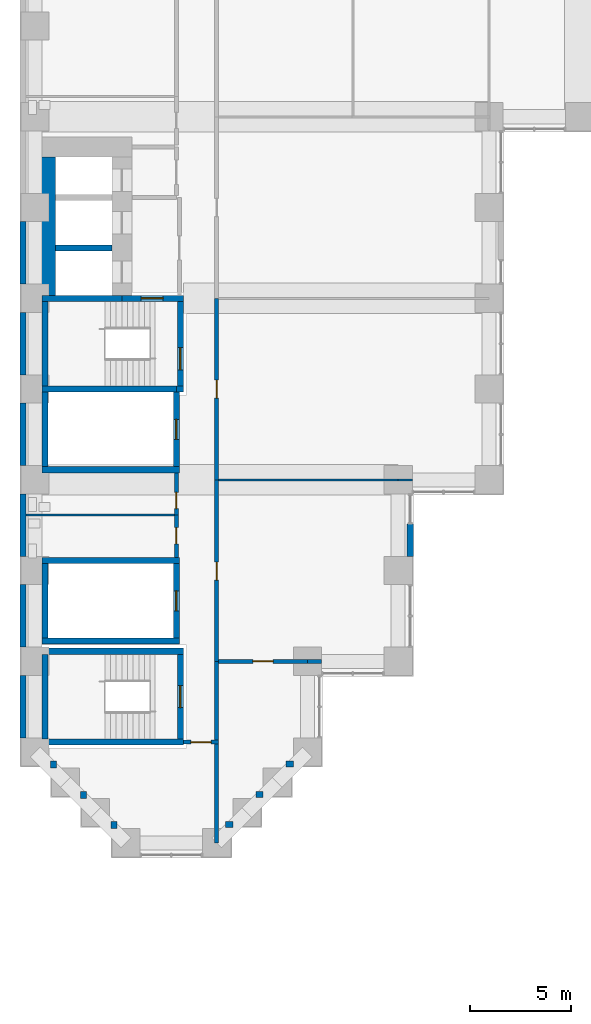
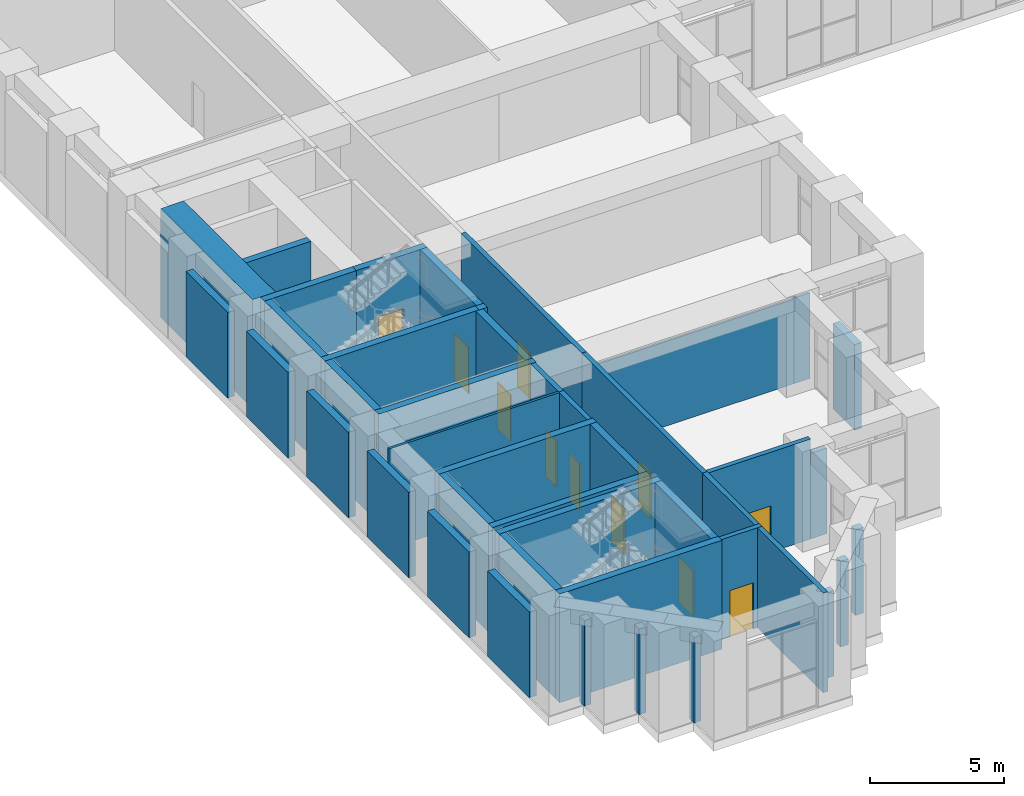
# One storey, part 18 of 34: 44 walls, 11 doors, 11 openings.
"""IFC4 building model written with IfcOpenShell, lengths in metres."""

from ifc_helpers import new_model, si_unit, direction, frame, frame_2d, origin, place, context, subcontext, project, spatial, rectangle, extrude, material, layer, layer_set, type_object, element, fill, save


model = new_model("IFC4")

# Units and contexts
model_context = context("Model", 3, precision=1e-05, world=origin(), true_north=direction((0.0, 1.0)))
body_context = subcontext(model_context, "Body", "Model", "MODEL_VIEW")
ifc_project = project(units=[si_unit("LENGTHUNIT", "METRE"), si_unit("AREAUNIT", "SQUARE_METRE"), si_unit("VOLUMEUNIT", "CUBIC_METRE"), si_unit("PLANEANGLEUNIT", "RADIAN"), si_unit("MASSUNIT", "GRAM", prefix="KILO")], contexts=[model_context])

# Site, building, storey
site_placement = place(None, origin())
site = spatial("IfcSite", under=ifc_project, at=site_placement, CompositionType="ELEMENT")
building_placement = place(site_placement, origin())
building = spatial("IfcBuilding", under=site, at=building_placement, Name="Firuza Court", CompositionType="ELEMENT")
storey_placement = place(building_placement, frame((0.0, 0.0, 19.0)))
storey = spatial("IfcBuildingStorey", under=building, at=storey_placement, Name="L03", CompositionType="ELEMENT", Elevation=19.0)

# Walls
ifc_material_1 = material(Name="Moisture-resistant gypsum board partition")
ifc_layer_1 = layer(ifc_material_1, 0.10009765625)
ifc_layer_set_1 = layer_set([ifc_layer_1], Name="Moisture-resistant gypsum board partition")
wall_type_1 = type_object("IfcWallType", Name="Bathroom partition 100", PredefinedType="PLUMBINGWALL", material=ifc_layer_set_1)
wall_1_placement = place(storey_placement, frame((-0.449951171875, 16.25, 0.0), z_axis=(0.0, 0.0, 1.0), x_axis=(1.0, 0.0, 0.0)))
element("IfcWall", 1, at=wall_1_placement, inside=storey, type_object=wall_type_1, Name="Bathroom partition 100 L03", PredefinedType="PLUMBINGWALL", context=body_context, shape_type="SweptSolid", body=[
    extrude(rectangle(XDim=7.349853515625, YDim=0.10009765625, at=frame_2d((3.6748046875, 0.0))), origin(), (0.0, 0.0, 1.0), 4.550048828125),
])
ifc_material_2 = material(Name="Concrete C60/75", Category="concrete")
ifc_layer_2 = layer(ifc_material_2, 1.0)
ifc_layer_set_2 = layer_set([ifc_layer_2], Name="Concrete C60/75")
wall_type_2 = type_object("IfcWallType", Name="Core wall 1000 C60/75", PredefinedType="SHEAR", material=ifc_layer_set_2)
wall_2_placement = place(storey_placement, frame((0.5, 27.14990234375, -0.39990234375), z_axis=(0.0, 0.0, 1.0), x_axis=(0.0, 1.0, 0.0)))
element("IfcWall", 2, at=wall_2_placement, inside=storey, type_object=wall_type_2, Name="Core wall lift shaft L03", PredefinedType="SHEAR", context=body_context, shape_type="SweptSolid", body=[
    extrude(rectangle(XDim=6.85009765625, YDim=1.0, at=frame_2d((3.425048828125, 0.0))), origin(), (0.0, 0.0, 1.0), 4.949951171875),
])
ifc_layer_3 = layer(ifc_material_2, 0.300048828125)
ifc_layer_set_3 = layer_set([ifc_layer_3], Name="Concrete C60/75")
wall_type_3 = type_object("IfcWallType", Name="Core wall 300 C60/75", PredefinedType="SHEAR", material=ifc_layer_set_3)
for number, where, z_axis, x_axis, name in (
    (3, (0.35009765625, 5.0, -0.39990234375), (0.0, 0.0, 1.0), (1.0, 0.0, 0.0), "Core wall stair L03"),
    (4, (0.35009765625, 9.5, -0.39990234375), (0.0, 0.0, 1.0), (1.0, 0.0, 0.0), "Core wall stair L03"),
):
    element("IfcWall", number, at=place(storey_placement, frame(where, z_axis=z_axis, x_axis=x_axis)), inside=storey, type_object=wall_type_3, Name=name, PredefinedType="SHEAR", context=body_context, shape_type="SweptSolid", body=[
        extrude(rectangle(XDim=7.0, YDim=0.300048828125, at=frame_2d((3.5, 0.0))), origin(), (0.0, 0.0, 1.0), 4.949951171875),
    ])
for number, where, z_axis, x_axis, name in (
    (5, (0.35009765625, 10.0, -0.39990234375), (0.0, 0.0, 1.0), (1.0, 0.0, 0.0), "Core wall riser L03"),
    (6, (0.35009765625, 14.0, -0.39990234375), (0.0, 0.0, 1.0), (1.0, 0.0, 0.0), "Core wall riser L03"),
    (7, (0.35009765625, 18.5, -0.39990234375), (0.0, 0.0, 1.0), (1.0, 0.0, 0.0), "Core wall riser L03"),
):
    element("IfcWall", number, at=place(storey_placement, frame(where, z_axis=z_axis, x_axis=x_axis)), inside=storey, type_object=wall_type_3, Name=name, PredefinedType="SHEAR", context=body_context, shape_type="SweptSolid", body=[
        extrude(rectangle(XDim=6.7998046875, YDim=0.300048828125, at=frame_2d((3.39990234375, 0.0))), origin(), (0.0, 0.0, 1.0), 4.949951171875),
    ])
wall_3_placement = place(storey_placement, frame((0.35009765625, 22.5, -0.39990234375), z_axis=(0.0, 0.0, 1.0), x_axis=(1.0, 0.0, 0.0)))
element("IfcWall", 8, at=wall_3_placement, inside=storey, type_object=wall_type_3, Name="Core wall riser L03", PredefinedType="SHEAR", context=body_context, shape_type="SweptSolid", body=[
    extrude(rectangle(XDim=6.64990234375, YDim=0.300048828125, at=frame_2d((3.324951171875, 0.0))), origin(), (0.0, 0.0, 1.0), 4.949951171875),
])
wall_4_placement = place(storey_placement, frame((0.35009765625, 27.0, -0.39990234375), z_axis=(0.0, 0.0, 1.0), x_axis=(1.0, 0.0, 0.0)))
element("IfcWall", 9, at=wall_4_placement, inside=storey, type_object=wall_type_3, Name="Core wall lift shaft L03", PredefinedType="SHEAR", context=body_context, shape_type="SweptSolid", body=[
    extrude(rectangle(XDim=3.949951171875, YDim=0.300048828125, at=frame_2d((1.97509765625, 0.0))), origin(), (0.0, 0.0, 1.0), 4.949951171875),
])
wall_5_placement = place(storey_placement, frame((0.5, 5.14990234375, -0.39990234375), z_axis=(0.0, 0.0, 1.0), x_axis=(0.0, 1.0, 0.0)))
element("IfcWall", 10, at=wall_5_placement, inside=storey, type_object=wall_type_3, Name="Core wall stair L03", PredefinedType="SHEAR", context=body_context, shape_type="SweptSolid", body=[
    extrude(rectangle(XDim=4.2001953125, YDim=0.300048828125, at=frame_2d((2.10009765625, 0.0))), origin(), (0.0, 0.0, 1.0), 4.949951171875),
])
for number, where, z_axis, x_axis, name in (
    (11, (0.5, 10.14990234375, -0.39990234375), (0.0, 0.0, 1.0), (0.0, 1.0, 0.0), "Core wall riser L03"),
    (12, (0.5, 18.64990234375, -0.39990234375), (0.0, 0.0, 1.0), (0.0, 1.0, 0.0), "Core wall riser L03"),
):
    element("IfcWall", number, at=place(storey_placement, frame(where, z_axis=z_axis, x_axis=x_axis)), inside=storey, type_object=wall_type_3, Name=name, PredefinedType="SHEAR", context=body_context, shape_type="SweptSolid", body=[
        extrude(rectangle(XDim=3.7001953125, YDim=0.300048828125, at=frame_2d((1.85009765625, 0.0))), origin(), (0.0, 0.0, 1.0), 4.949951171875),
    ])
wall_6_placement = place(storey_placement, frame((0.5, 22.64990234375, -0.39990234375), z_axis=(0.0, 0.0, 1.0), x_axis=(0.0, 1.0, 0.0)))
element("IfcWall", 13, at=wall_6_placement, inside=storey, type_object=wall_type_3, Name="Core wall stair L03", PredefinedType="SHEAR", context=body_context, shape_type="SweptSolid", body=[
    extrude(rectangle(XDim=4.2001953125, YDim=0.300048828125, at=frame_2d((2.10009765625, 0.0))), origin(), (0.0, 0.0, 1.0), 4.949951171875),
])
wall_7_placement = place(storey_placement, frame((1.0, 29.5, -0.39990234375), z_axis=(0.0, 0.0, 1.0), x_axis=(1.0, 0.0, 0.0)))
element("IfcWall", 14, at=wall_7_placement, inside=storey, type_object=wall_type_3, Name="Core wall lift shaft L03", PredefinedType="SHEAR", context=body_context, shape_type="SweptSolid", body=[
    extrude(rectangle(XDim=2.800048828125, YDim=0.300048828125, at=frame_2d((1.39990234375, 0.0))), origin(), (0.0, 0.0, 1.0), 4.949951171875),
])

# Wall, opening, door
wall_8_placement = place(storey_placement, frame((4.300048828125, 27.0, -0.39990234375), z_axis=(0.0, 0.0, 1.0), x_axis=(1.0, 0.0, 0.0)))
wall_8 = element("IfcWall", 15, at=wall_8_placement, inside=storey, type_object=wall_type_3, Name="Core wall stair L03", PredefinedType="SHEAR", context=body_context, shape_type="SweptSolid", body=[
    extrude(rectangle(XDim=3.050048828125, YDim=0.300048828125, at=frame_2d((1.52490234375, 0.0))), origin(), (0.0, 0.0, 1.0), 4.949951171875),
])
opening_1_placement = place(wall_8_placement, frame((0.949951171875, 0.0, 0.39990234375)))
opening_1 = element("IfcOpeningElement", 16, at=opening_1_placement, cuts=wall_8, Name="Opening D03014", PredefinedType="OPENING", context=body_context, shape_type="SweptSolid", body=[
    extrude(rectangle(XDim=1.10009765625, YDim=2.10009765625, at=frame_2d((0.550048828125, 1.050048828125))), frame((0.0, 0.162109375, 0.0), z_axis=(0.0, -1.0, 0.0), x_axis=(1.0, 0.0, 0.0)), (0.0, 0.0, 1.0), 0.323974609375),
])
ifc_material_3 = material(Name="Timber door leaf in hardwood frame", Category="wood")
door_type_1 = type_object("IfcDoorType", Name="Stair door 1100", OperationType="SINGLE_SWING_LEFT", PredefinedType="DOOR", material=ifc_material_3)
door_1_placement = place(opening_1_placement, frame((1.10009765625, 0.0, 0.0), z_axis=(0.0, 0.0, 1.0), x_axis=(-1.0, 0.0, 0.0)))
door_1 = element("IfcDoor", 17, at=door_1_placement, inside=storey, type_object=door_type_1, Name="Fire-fighting lobby door", OperationType="SINGLE_SWING_LEFT", OverallHeight=2.10009765625, OverallWidth=1.10009765625, PredefinedType="DOOR", context=body_context, shape_type="SweptSolid", body=[
    extrude(rectangle(XDim=1.10009765625, YDim=2.10009765625, at=frame_2d((0.550048828125, 1.050048828125))), frame((0.0, 0.02490234375, 0.0), z_axis=(0.0, -1.0, 0.0), x_axis=(1.0, 0.0, 0.0)), (0.0, 0.0, 1.0), 0.050048828125),
])
fill(opening_1, door_1)

wall_9_placement = place(storey_placement, frame((7.0, 10.14990234375, -0.39990234375), z_axis=(0.0, 0.0, 1.0), x_axis=(0.0, 1.0, 0.0)))
wall_9 = element("IfcWall", 18, at=wall_9_placement, inside=storey, type_object=wall_type_3, Name="Core wall riser L03", PredefinedType="SHEAR", context=body_context, shape_type="SweptSolid", body=[
    extrude(rectangle(XDim=3.7001953125, YDim=0.300048828125, at=frame_2d((1.85009765625, 0.0))), origin(), (0.0, 0.0, 1.0), 4.949951171875),
])
opening_2_placement = place(wall_9_placement, frame((1.35009765625, 0.0, 0.39990234375)))
opening_2 = element("IfcOpeningElement", 19, at=opening_2_placement, cuts=wall_9, Name="Opening D03012", PredefinedType="OPENING", context=body_context, shape_type="SweptSolid", body=[
    extrude(rectangle(XDim=1.0, YDim=2.10009765625, at=frame_2d((0.5, 1.050048828125))), frame((0.0, 0.162109375, 0.0), z_axis=(0.0, -1.0, 0.0), x_axis=(1.0, 0.0, 0.0)), (0.0, 0.0, 1.0), 0.323974609375),
])
ifc_material_4 = material(Name="Timber door leaf in hardwood frame", Category="wood")
door_type_2 = type_object("IfcDoorType", Name="Riser door 1000", OperationType="SINGLE_SWING_LEFT", PredefinedType="DOOR", material=ifc_material_4)
door_2_placement = place(opening_2_placement, origin())
door_2 = element("IfcDoor", 20, at=door_2_placement, inside=storey, type_object=door_type_2, Name="Riser door R4", OperationType="SINGLE_SWING_LEFT", OverallHeight=2.10009765625, OverallWidth=1.0, PredefinedType="DOOR", context=body_context, shape_type="SweptSolid", body=[
    extrude(rectangle(XDim=1.0, YDim=2.10009765625, at=frame_2d((0.5, 1.050048828125))), frame((0.0, 0.02490234375, 0.0), z_axis=(0.0, -1.0, 0.0), x_axis=(1.0, 0.0, 0.0)), (0.0, 0.0, 1.0), 0.050048828125),
])
fill(opening_2, door_2)

wall_10_placement = place(storey_placement, frame((7.0, 18.64990234375, -0.39990234375), z_axis=(0.0, 0.0, 1.0), x_axis=(0.0, 1.0, 0.0)))
wall_10 = element("IfcWall", 21, at=wall_10_placement, inside=storey, type_object=wall_type_3, Name="Core wall riser L03", PredefinedType="SHEAR", context=body_context, shape_type="SweptSolid", body=[
    extrude(rectangle(XDim=3.7001953125, YDim=0.300048828125, at=frame_2d((1.85009765625, 0.0))), origin(), (0.0, 0.0, 1.0), 4.949951171875),
])
opening_3_placement = place(wall_10_placement, frame((1.35009765625, 0.0, 0.39990234375)))
opening_3 = element("IfcOpeningElement", 22, at=opening_3_placement, cuts=wall_10, Name="Opening D03010", PredefinedType="OPENING", context=body_context, shape_type="SweptSolid", body=[
    extrude(rectangle(XDim=1.0, YDim=2.10009765625, at=frame_2d((0.5, 1.050048828125))), frame((0.0, 0.162109375, 0.0), z_axis=(0.0, -1.0, 0.0), x_axis=(1.0, 0.0, 0.0)), (0.0, 0.0, 1.0), 0.323974609375),
])
door_3_placement = place(opening_3_placement, origin())
door_3 = element("IfcDoor", 23, at=door_3_placement, inside=storey, type_object=door_type_2, Name="Riser door R1", OperationType="SINGLE_SWING_LEFT", OverallHeight=2.10009765625, OverallWidth=1.0, PredefinedType="DOOR", context=body_context, shape_type="SweptSolid", body=[
    extrude(rectangle(XDim=1.0, YDim=2.10009765625, at=frame_2d((0.5, 1.050048828125))), frame((0.0, 0.02490234375, 0.0), z_axis=(0.0, -1.0, 0.0), x_axis=(1.0, 0.0, 0.0)), (0.0, 0.0, 1.0), 0.050048828125),
])
fill(opening_3, door_3)

# Wall
wall_11_placement = place(storey_placement, frame((7.0, 22.5, -0.39990234375), z_axis=(0.0, 0.0, 1.0), x_axis=(1.0, 0.0, 0.0)))
element("IfcWall", 24, at=wall_11_placement, inside=storey, type_object=wall_type_3, Name="Core wall stair L03", PredefinedType="SHEAR", context=body_context, shape_type="SweptSolid", body=[
    extrude(rectangle(XDim=0.35009765625, YDim=0.300048828125, at=frame_2d((0.175048828125, 0.0))), origin(), (0.0, 0.0, 1.0), 4.949951171875),
])

# Wall, opening, door
wall_12_placement = place(storey_placement, frame((7.199951171875, 5.14990234375, -0.39990234375), z_axis=(0.0, 0.0, 1.0), x_axis=(0.0, 1.0, 0.0)))
wall_12 = element("IfcWall", 25, at=wall_12_placement, inside=storey, type_object=wall_type_3, Name="Core wall stair L03", PredefinedType="SHEAR", context=body_context, shape_type="SweptSolid", body=[
    extrude(rectangle(XDim=4.2001953125, YDim=0.300048828125, at=frame_2d((2.10009765625, 0.0))), origin(), (0.0, 0.0, 1.0), 4.949951171875),
])
opening_4_placement = place(wall_12_placement, frame((1.550048828125, 0.0, 0.39990234375)))
opening_4 = element("IfcOpeningElement", 26, at=opening_4_placement, cuts=wall_12, Name="Opening D03018", PredefinedType="OPENING", context=body_context, shape_type="SweptSolid", body=[
    extrude(rectangle(XDim=1.10009765625, YDim=2.10009765625, at=frame_2d((0.550048828125, 1.050048828125))), frame((0.0, 0.162109375, 0.0), z_axis=(0.0, -1.0, 0.0), x_axis=(1.0, 0.0, 0.0)), (0.0, 0.0, 1.0), 0.323974609375),
])
door_4_placement = place(opening_4_placement, origin())
door_4 = element("IfcDoor", 27, at=door_4_placement, inside=storey, type_object=door_type_1, Name="Stair door S5", OperationType="SINGLE_SWING_LEFT", OverallHeight=2.10009765625, OverallWidth=1.10009765625, PredefinedType="DOOR", context=body_context, shape_type="SweptSolid", body=[
    extrude(rectangle(XDim=1.10009765625, YDim=2.10009765625, at=frame_2d((0.550048828125, 1.050048828125))), frame((0.0, 0.02490234375, 0.0), z_axis=(0.0, -1.0, 0.0), x_axis=(1.0, 0.0, 0.0)), (0.0, 0.0, 1.0), 0.050048828125),
])
fill(opening_4, door_4)

wall_13_placement = place(storey_placement, frame((7.199951171875, 22.64990234375, -0.39990234375), z_axis=(0.0, 0.0, 1.0), x_axis=(0.0, 1.0, 0.0)))
wall_13 = element("IfcWall", 28, at=wall_13_placement, inside=storey, type_object=wall_type_3, Name="Core wall stair L03", PredefinedType="SHEAR", context=body_context, shape_type="SweptSolid", body=[
    extrude(rectangle(XDim=4.2001953125, YDim=0.300048828125, at=frame_2d((2.10009765625, 0.0))), origin(), (0.0, 0.0, 1.0), 4.949951171875),
])
opening_5_placement = place(wall_13_placement, frame((0.800048828125, 0.0, 0.39990234375)))
opening_5 = element("IfcOpeningElement", 29, at=opening_5_placement, cuts=wall_13, Name="Opening D03015", PredefinedType="OPENING", context=body_context, shape_type="SweptSolid", body=[
    extrude(rectangle(XDim=1.10009765625, YDim=2.10009765625, at=frame_2d((0.550048828125, 1.050048828125))), frame((0.0, 0.162109375, 0.0), z_axis=(0.0, -1.0, 0.0), x_axis=(1.0, 0.0, 0.0)), (0.0, 0.0, 1.0), 0.323974609375),
])
door_5_placement = place(opening_5_placement, origin())
door_5 = element("IfcDoor", 30, at=door_5_placement, inside=storey, type_object=door_type_1, Name="Stair door S2", OperationType="SINGLE_SWING_LEFT", OverallHeight=2.10009765625, OverallWidth=1.10009765625, PredefinedType="DOOR", context=body_context, shape_type="SweptSolid", body=[
    extrude(rectangle(XDim=1.10009765625, YDim=2.10009765625, at=frame_2d((0.550048828125, 1.050048828125))), frame((0.0, 0.02490234375, 0.0), z_axis=(0.0, -1.0, 0.0), x_axis=(1.0, 0.0, 0.0)), (0.0, 0.0, 1.0), 0.050048828125),
])
fill(opening_5, door_5)

ifc_material_5 = material(Name="Blockwork, plastered both sides", Category="masonry")
ifc_layer_4 = layer(ifc_material_5, 0.199951171875)
ifc_layer_set_4 = layer_set([ifc_layer_4], Name="Blockwork, plastered both sides")
wall_type_4 = type_object("IfcWallType", Name="Corridor wall 200", PredefinedType="PARTITIONING", material=ifc_layer_set_4)
wall_14_placement = place(storey_placement, frame((9.0, 9.0, 0.0), z_axis=(0.0, 0.0, 1.0), x_axis=(0.0, 1.0, 0.0)))
wall_14 = element("IfcWall", 31, at=wall_14_placement, inside=storey, type_object=wall_type_4, Name="Corridor wall 200 L03", PredefinedType="PARTITIONING", context=body_context, shape_type="SweptSolid", body=[
    extrude(rectangle(XDim=9.0, YDim=0.199951171875, at=frame_2d((4.5, 0.0))), origin(), (0.0, 0.0, 1.0), 4.550048828125),
])
opening_6_placement = place(wall_14_placement, frame((4.02490234375, 0.0, 0.0)))
opening_6 = element("IfcOpeningElement", 32, at=opening_6_placement, cuts=wall_14, Name="Opening D03020", PredefinedType="OPENING", context=body_context, shape_type="SweptSolid", body=[
    extrude(rectangle(XDim=0.89990234375, YDim=2.10009765625, at=frame_2d((0.449951171875, 1.050048828125))), frame((0.0, 0.11181640625, 0.0), z_axis=(0.0, -1.0, 0.0), x_axis=(1.0, 0.0, 0.0)), (0.0, 0.0, 1.0), 0.223876953125),
])
ifc_material_6 = material(Name="Timber door leaf in hardwood frame", Category="wood")
door_type_3 = type_object("IfcDoorType", Name="Room door 900 EI 30", OperationType="SINGLE_SWING_LEFT", PredefinedType="DOOR", material=ifc_material_6)
door_6_placement = place(opening_6_placement, origin())
door_6 = element("IfcDoor", 33, at=door_6_placement, inside=storey, type_object=door_type_3, Name="Room door", OperationType="SINGLE_SWING_LEFT", OverallHeight=2.10009765625, OverallWidth=0.89990234375, PredefinedType="DOOR", context=body_context, shape_type="SweptSolid", body=[
    extrude(rectangle(XDim=0.89990234375, YDim=2.10009765625, at=frame_2d((0.449951171875, 1.050048828125))), frame((0.0, 0.02490234375, 0.0), z_axis=(0.0, -1.0, 0.0), x_axis=(1.0, 0.0, 0.0)), (0.0, 0.0, 1.0), 0.050048828125),
])
fill(opening_6, door_6)

wall_15_placement = place(storey_placement, frame((7.0, 16.25, 0.0), z_axis=(0.0, 0.0, 1.0), x_axis=(0.0, -1.0, 0.0)))
wall_15 = element("IfcWall", 34, at=wall_15_placement, inside=storey, type_object=wall_type_4, Name="Corridor wall 200 L03", PredefinedType="PARTITIONING", context=body_context, shape_type="SweptSolid", body=[
    extrude(rectangle(XDim=2.10009765625, YDim=0.199951171875, at=frame_2d((1.050048828125, 0.0))), origin(), (0.0, 0.0, 1.0), 4.550048828125),
])
opening_7_placement = place(wall_15_placement, frame((0.625, 0.0, 0.0)))
opening_7 = element("IfcOpeningElement", 35, at=opening_7_placement, cuts=wall_15, Name="Opening D03022", PredefinedType="OPENING", context=body_context, shape_type="SweptSolid", body=[
    extrude(rectangle(XDim=0.800048828125, YDim=2.10009765625, at=frame_2d((0.39990234375, 1.050048828125))), frame((0.0, 0.11181640625, 0.0), z_axis=(0.0, -1.0, 0.0), x_axis=(1.0, 0.0, 0.0)), (0.0, 0.0, 1.0), 0.223876953125),
])
ifc_material_7 = material(Name="Timber door leaf in hardwood frame", Category="wood")
door_type_4 = type_object("IfcDoorType", Name="Room door 800 EI 30", OperationType="SINGLE_SWING_LEFT", PredefinedType="DOOR", material=ifc_material_7)
door_7_placement = place(opening_7_placement, frame((0.800048828125, 0.0, 0.0), z_axis=(0.0, 0.0, 1.0), x_axis=(-1.0, 0.0, 0.0)))
door_7 = element("IfcDoor", 36, at=door_7_placement, inside=storey, type_object=door_type_4, Name="Room door", OperationType="SINGLE_SWING_RIGHT", OverallHeight=2.10009765625, OverallWidth=0.800048828125, PredefinedType="DOOR", context=body_context, shape_type="SweptSolid", body=[
    extrude(rectangle(XDim=0.800048828125, YDim=2.10009765625, at=frame_2d((0.39990234375, 1.050048828125))), frame((0.0, 0.02490234375, 0.0), z_axis=(0.0, -1.0, 0.0), x_axis=(1.0, 0.0, 0.0)), (0.0, 0.0, 1.0), 0.050048828125),
])
fill(opening_7, door_7)

wall_16_placement = place(storey_placement, frame((9.0, 18.0, 0.0), z_axis=(0.0, 0.0, 1.0), x_axis=(0.0, 1.0, 0.0)))
wall_16 = element("IfcWall", 37, at=wall_16_placement, inside=storey, type_object=wall_type_4, Name="Corridor wall 200 L03", PredefinedType="PARTITIONING", context=body_context, shape_type="SweptSolid", body=[
    extrude(rectangle(XDim=9.0, YDim=0.199951171875, at=frame_2d((4.5, 0.0))), origin(), (0.0, 0.0, 1.0), 4.550048828125),
])
opening_8_placement = place(wall_16_placement, frame((4.050048828125, 0.0, 0.0)))
opening_8 = element("IfcOpeningElement", 38, at=opening_8_placement, cuts=wall_16, Name="Opening D03023", PredefinedType="OPENING", context=body_context, shape_type="SweptSolid", body=[
    extrude(rectangle(XDim=0.89990234375, YDim=2.10009765625, at=frame_2d((0.449951171875, 1.050048828125))), frame((0.0, 0.11181640625, 0.0), z_axis=(0.0, -1.0, 0.0), x_axis=(1.0, 0.0, 0.0)), (0.0, 0.0, 1.0), 0.223876953125),
])
door_8_placement = place(opening_8_placement, frame((0.89990234375, 0.0, 0.0), z_axis=(0.0, 0.0, 1.0), x_axis=(-1.0, 0.0, 0.0)))
door_8 = element("IfcDoor", 39, at=door_8_placement, inside=storey, type_object=door_type_3, Name="Room door", OperationType="SINGLE_SWING_RIGHT", OverallHeight=2.10009765625, OverallWidth=0.89990234375, PredefinedType="DOOR", context=body_context, shape_type="SweptSolid", body=[
    extrude(rectangle(XDim=0.89990234375, YDim=2.10009765625, at=frame_2d((0.449951171875, 1.050048828125))), frame((0.0, 0.02490234375, 0.0), z_axis=(0.0, -1.0, 0.0), x_axis=(1.0, 0.0, 0.0)), (0.0, 0.0, 1.0), 0.050048828125),
])
fill(opening_8, door_8)

wall_17_placement = place(storey_placement, frame((7.0, 18.35009765625, 0.0), z_axis=(0.0, 0.0, 1.0), x_axis=(0.0, -1.0, 0.0)))
wall_17 = element("IfcWall", 40, at=wall_17_placement, inside=storey, type_object=wall_type_4, Name="Corridor wall 200 L03", PredefinedType="PARTITIONING", context=body_context, shape_type="SweptSolid", body=[
    extrude(rectangle(XDim=2.10009765625, YDim=0.199951171875, at=frame_2d((1.050048828125, 0.0))), origin(), (0.0, 0.0, 1.0), 4.550048828125),
])
opening_9_placement = place(wall_17_placement, frame((0.97509765625, 0.0, 0.0)))
opening_9 = element("IfcOpeningElement", 41, at=opening_9_placement, cuts=wall_17, Name="Opening D03024", PredefinedType="OPENING", context=body_context, shape_type="SweptSolid", body=[
    extrude(rectangle(XDim=0.800048828125, YDim=2.10009765625, at=frame_2d((0.39990234375, 1.050048828125))), frame((0.0, 0.11181640625, 0.0), z_axis=(0.0, -1.0, 0.0), x_axis=(1.0, 0.0, 0.0)), (0.0, 0.0, 1.0), 0.223876953125),
])
door_9_placement = place(opening_9_placement, frame((0.800048828125, 0.0, 0.0), z_axis=(0.0, 0.0, 1.0), x_axis=(-1.0, 0.0, 0.0)))
door_9 = element("IfcDoor", 42, at=door_9_placement, inside=storey, type_object=door_type_4, Name="Room door", OperationType="SINGLE_SWING_LEFT", OverallHeight=2.10009765625, OverallWidth=0.800048828125, PredefinedType="DOOR", context=body_context, shape_type="SweptSolid", body=[
    extrude(rectangle(XDim=0.800048828125, YDim=2.10009765625, at=frame_2d((0.39990234375, 1.050048828125))), frame((0.0, 0.02490234375, 0.0), z_axis=(0.0, -1.0, 0.0), x_axis=(1.0, 0.0, 0.0)), (0.0, 0.0, 1.0), 0.050048828125),
])
fill(opening_9, door_9)

# Walls
ifc_material_8 = material(Name="Timber stud partition, plasterboard both sides", Category="wood")
ifc_layer_5 = layer(ifc_material_8, 0.10009765625)
ifc_layer_set_5 = layer_set([ifc_layer_5], Name="Timber stud partition, plasterboard both sides")
wall_type_5 = type_object("IfcWallType", Name="Partition wall 100", PredefinedType="PARTITIONING", material=ifc_layer_set_5)
wall_18_placement = place(storey_placement, frame((18.0, 18.0, 0.0), z_axis=(0.0, 0.0, 1.0), x_axis=(-1.0, 0.0, 0.0)))
element("IfcWall", 43, at=wall_18_placement, inside=storey, type_object=wall_type_5, Name="Partition wall 100 L03", PredefinedType="PARTITIONING", context=body_context, shape_type="SweptSolid", body=[
    extrude(rectangle(XDim=8.89990234375, YDim=0.10009765625, at=frame_2d((4.449951171875, 0.0))), origin(), (0.0, 0.0, 1.0), 3.85009765625),
])
wall_19_placement = place(storey_placement, frame((18.699951171875, 18.0, 0.0), z_axis=(0.0, 0.0, 1.0), x_axis=(-1.0, 0.0, 0.0)))
element("IfcWall", 44, at=wall_19_placement, inside=storey, type_object=wall_type_5, Name="Partition wall 100 L03", PredefinedType="PARTITIONING", context=body_context, shape_type="SweptSolid", body=[
    extrude(rectangle(XDim=0.699951171875, YDim=0.10009765625, at=frame_2d((0.35009765625, 0.0))), origin(), (0.0, 0.0, 1.0), 3.89990234375),
])
ifc_material_9 = material(Name="Blockwork, fire-rated", Category="masonry")
ifc_layer_6 = layer(ifc_material_9, 0.199951171875)
ifc_layer_set_6 = layer_set([ifc_layer_6], Name="Blockwork, fire-rated")
wall_type_6 = type_object("IfcWallType", Name="Plant room wall 200", PredefinedType="PARTITIONING", material=ifc_layer_set_6)
wall_20_placement = place(storey_placement, frame((9.0, 0.0, 0.0), z_axis=(0.0, 0.0, 1.0), x_axis=(0.0, 1.0, 0.0)))
element("IfcWall", 45, at=wall_20_placement, inside=storey, type_object=wall_type_6, Name="Plant room wall 200 L03", PredefinedType="PARTITIONING", context=body_context, shape_type="SweptSolid", body=[
    extrude(rectangle(XDim=4.89990234375, YDim=0.199951171875, at=frame_2d((2.449951171875, 0.0))), origin(), (0.0, 0.0, 1.0), 4.550048828125),
])

# Wall, opening, door
wall_21_placement = place(storey_placement, frame((7.35009765625, 5.0, 0.0), z_axis=(0.0, 0.0, 1.0), x_axis=(1.0, 0.0, 0.0)))
wall_21 = element("IfcWall", 46, at=wall_21_placement, inside=storey, type_object=wall_type_6, Name="Plant room wall 200 L03", PredefinedType="PARTITIONING", context=body_context, shape_type="SweptSolid", body=[
    extrude(rectangle(XDim=1.75, YDim=0.199951171875, at=frame_2d((0.875, 0.0))), origin(), (0.0, 0.0, 1.0), 4.550048828125),
])
opening_10_placement = place(wall_21_placement, frame((0.375, 0.0, 0.0)))
opening_10 = element("IfcOpeningElement", 47, at=opening_10_placement, cuts=wall_21, Name="Opening D03019", PredefinedType="OPENING", context=body_context, shape_type="SweptSolid", body=[
    extrude(rectangle(XDim=1.0, YDim=2.10009765625, at=frame_2d((0.5, 1.050048828125))), frame((0.0, 0.11181640625, 0.0), z_axis=(0.0, -1.0, 0.0), x_axis=(1.0, 0.0, 0.0)), (0.0, 0.0, 1.0), 0.223876953125),
])
ifc_material_10 = material(Name="Timber door leaf in hardwood frame", Category="wood")
door_type_5 = type_object("IfcDoorType", Name="Store door 1000", OperationType="SINGLE_SWING_LEFT", PredefinedType="DOOR", material=ifc_material_10)
door_10_placement = place(opening_10_placement, frame((1.0, 0.0, 0.0), z_axis=(0.0, 0.0, 1.0), x_axis=(-1.0, 0.0, 0.0)))
door_10 = element("IfcDoor", 48, at=door_10_placement, inside=storey, type_object=door_type_5, Name="Store door", OperationType="SINGLE_SWING_LEFT", OverallHeight=2.10009765625, OverallWidth=1.0, PredefinedType="DOOR", context=body_context, shape_type="SweptSolid", body=[
    extrude(rectangle(XDim=1.0, YDim=2.10009765625, at=frame_2d((0.5, 1.050048828125))), frame((0.0, 0.02490234375, 0.0), z_axis=(0.0, -1.0, 0.0), x_axis=(1.0, 0.0, 0.0)), (0.0, 0.0, 1.0), 0.050048828125),
])
fill(opening_10, door_10)

# Wall
wall_22_placement = place(storey_placement, frame((9.0, 5.10009765625, 0.0), z_axis=(0.0, 0.0, 1.0), x_axis=(0.0, 1.0, 0.0)))
element("IfcWall", 49, at=wall_22_placement, inside=storey, type_object=wall_type_6, Name="Plant room wall 200 L03", PredefinedType="PARTITIONING", context=body_context, shape_type="SweptSolid", body=[
    extrude(rectangle(XDim=3.89990234375, YDim=0.199951171875, at=frame_2d((1.949951171875, 0.0))), origin(), (0.0, 0.0, 1.0), 4.550048828125),
])

# Wall, opening, door
wall_23_placement = place(storey_placement, frame((13.5, 9.0, 0.0), z_axis=(0.0, 0.0, 1.0), x_axis=(-1.0, 0.0, 0.0)))
wall_23 = element("IfcWall", 50, at=wall_23_placement, inside=storey, type_object=wall_type_6, Name="Plant room wall 200 L03", PredefinedType="PARTITIONING", context=body_context, shape_type="SweptSolid", body=[
    extrude(rectangle(XDim=4.39990234375, YDim=0.199951171875, at=frame_2d((2.199951171875, 0.0))), origin(), (0.0, 0.0, 1.0), 4.550048828125),
])
opening_11_placement = place(wall_23_placement, frame((1.699951171875, 0.0, 0.0)))
opening_11 = element("IfcOpeningElement", 51, at=opening_11_placement, cuts=wall_23, Name="Opening D03021", PredefinedType="OPENING", context=body_context, shape_type="SweptSolid", body=[
    extrude(rectangle(XDim=1.0, YDim=2.10009765625, at=frame_2d((0.5, 1.050048828125))), frame((0.0, 0.11181640625, 0.0), z_axis=(0.0, -1.0, 0.0), x_axis=(1.0, 0.0, 0.0)), (0.0, 0.0, 1.0), 0.223876953125),
])
door_11_placement = place(opening_11_placement, origin())
door_11 = element("IfcDoor", 52, at=door_11_placement, inside=storey, type_object=door_type_5, Name="Store door", OperationType="SINGLE_SWING_RIGHT", OverallHeight=2.10009765625, OverallWidth=1.0, PredefinedType="DOOR", context=body_context, shape_type="SweptSolid", body=[
    extrude(rectangle(XDim=1.0, YDim=2.10009765625, at=frame_2d((0.5, 1.050048828125))), frame((0.0, 0.02490234375, 0.0), z_axis=(0.0, -1.0, 0.0), x_axis=(1.0, 0.0, 0.0)), (0.0, 0.0, 1.0), 0.050048828125),
])
fill(opening_11, door_11)

# Walls
wall_24_placement = place(storey_placement, frame((14.199951171875, 9.0, 0.0), z_axis=(0.0, 0.0, 1.0), x_axis=(-1.0, 0.0, 0.0)))
element("IfcWall", 53, at=wall_24_placement, inside=storey, type_object=wall_type_6, Name="Plant room wall 200 L03", PredefinedType="PARTITIONING", context=body_context, shape_type="SweptSolid", body=[
    extrude(rectangle(XDim=0.699951171875, YDim=0.199951171875, at=frame_2d((0.35009765625, 0.0))), origin(), (0.0, 0.0, 1.0), 3.89990234375),
])
ifc_material_11 = material(Name="Ceramic tile", Category="ceramic")
ifc_layer_7 = layer(ifc_material_11, 0.02001953125)
ifc_material_12 = material(Name="Mineral wool insulation", Category="insulation")
ifc_layer_8 = layer(ifc_material_12, 0.1298828125)
ifc_material_13 = material(Name="Concrete C40/50 precast", Category="concrete")
ifc_layer_9 = layer(ifc_material_13, 0.14990234375)
ifc_layer_set_7 = layer_set([ifc_layer_7, ifc_layer_8, ifc_layer_9], Name="Concrete C40/50 precast")
wall_type_7 = type_object("IfcWallType", Name="Precast spandrel wall with turquoise TILE PANEL face 300", PredefinedType="STANDARD", material=ifc_layer_set_7)
for number, where, z_axis, x_axis, name in (
    (54, (9.449951171875, 0.89990234375, 0.0), (0.0, 0.0, 1.0), (1.0, 0.0, 0.0), "Facade wall L03 S"),
    (55, (10.949951171875, 2.39990234375, 0.0), (0.0, 0.0, 1.0), (1.0, 0.0, 0.0), "Facade wall L03 S"),
    (56, (12.449951171875, 3.89990234375, 0.0), (0.0, 0.0, 1.0), (1.0, 0.0, 0.0), "Facade wall L03 S"),
):
    element("IfcWall", number, at=place(storey_placement, frame(where, z_axis=z_axis, x_axis=x_axis)), inside=storey, type_object=wall_type_7, Name=name, PredefinedType="STANDARD", context=body_context, shape_type="SweptSolid", body=[
        extrude(rectangle(XDim=0.35009765625, YDim=0.300048828125, at=frame_2d((0.175048828125, 0.0))), origin(), (0.0, 0.0, 1.0), 3.89990234375),
    ])
wall_25_placement = place(storey_placement, frame((18.60009765625, 14.199951171875, 0.0), z_axis=(0.0, 0.0, 1.0), x_axis=(0.0, 1.0, 0.0)))
element("IfcWall", 57, at=wall_25_placement, inside=storey, type_object=wall_type_7, Name="Facade wall L03 E", PredefinedType="STANDARD", context=body_context, shape_type="SweptSolid", body=[
    extrude(rectangle(XDim=1.605224609375, YDim=0.300048828125, at=frame_2d((0.802734375, 0.0))), origin(), (0.0, 0.0, 1.0), 3.89990234375),
])
for number, where, z_axis, x_axis, name in (
    (58, (-0.60009765625, 30.800048828125, 0.0), (0.0, 0.0, 1.0), (0.0, -1.0, 0.0), "Facade wall L03 W"),
    (59, (-0.60009765625, 26.300048828125, 0.0), (0.0, 0.0, 1.0), (0.0, -1.0, 0.0), "Facade wall L03 W"),
    (60, (-0.60009765625, 21.800048828125, 0.0), (0.0, 0.0, 1.0), (0.0, -1.0, 0.0), "Facade wall L03 W"),
    (61, (-0.60009765625, 17.300048828125, 0.0), (0.0, 0.0, 1.0), (0.0, -1.0, 0.0), "Facade wall L03 W"),
    (62, (-0.60009765625, 12.800048828125, 0.0), (0.0, 0.0, 1.0), (0.0, -1.0, 0.0), "Facade wall L03 W"),
    (63, (-0.60009765625, 8.300048828125, 0.0), (0.0, 0.0, 1.0), (0.0, -1.0, 0.0), "Facade wall L03 W"),
):
    element("IfcWall", number, at=place(storey_placement, frame(where, z_axis=z_axis, x_axis=x_axis)), inside=storey, type_object=wall_type_7, Name=name, PredefinedType="STANDARD", context=body_context, shape_type="SweptSolid", body=[
        extrude(rectangle(XDim=3.10009765625, YDim=0.300048828125, at=frame_2d((1.550048828125, 0.0))), origin(), (0.0, 0.0, 1.0), 3.89990234375),
    ])
for number, where, z_axis, x_axis, name in (
    (64, (0.89990234375, 4.050048828125, 0.0), (0.0, 0.0, 1.0), (0.0, -1.0, 0.0), "Facade wall L03 W"),
    (65, (2.39990234375, 2.550048828125, 0.0), (0.0, 0.0, 1.0), (0.0, -1.0, 0.0), "Facade wall L03 W"),
    (66, (3.89990234375, 1.050048828125, 0.0), (0.0, 0.0, 1.0), (0.0, -1.0, 0.0), "Facade wall L03 W"),
):
    element("IfcWall", number, at=place(storey_placement, frame(where, z_axis=z_axis, x_axis=x_axis)), inside=storey, type_object=wall_type_7, Name=name, PredefinedType="STANDARD", context=body_context, shape_type="SweptSolid", body=[
        extrude(rectangle(XDim=0.35009765625, YDim=0.300048828125, at=frame_2d((0.175048828125, 0.0))), origin(), (0.0, 0.0, 1.0), 3.89990234375),
    ])

save(model, "model.ifc")
